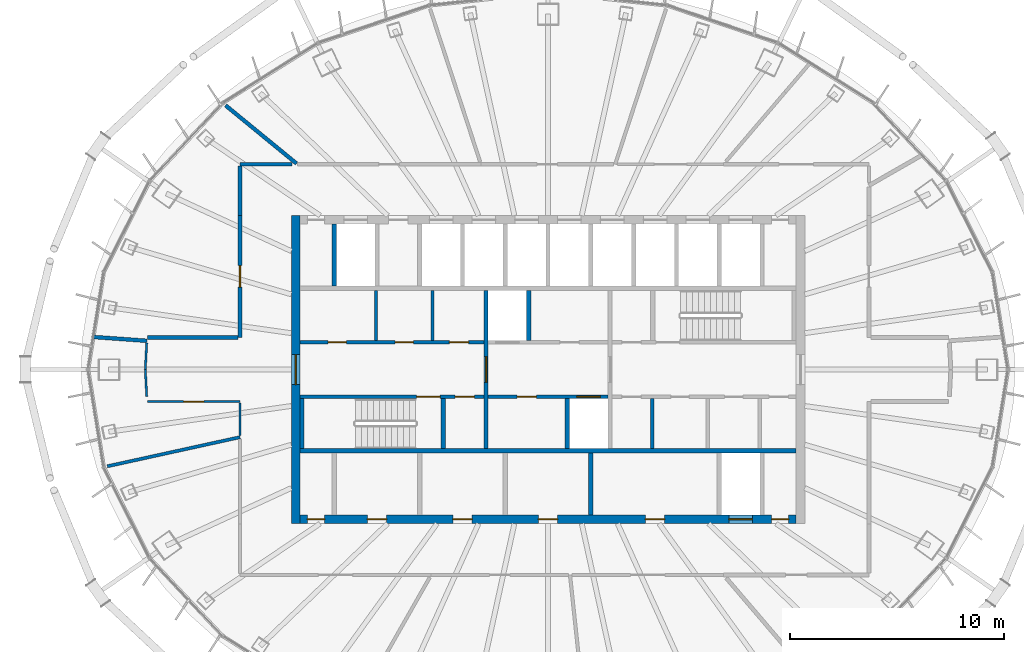
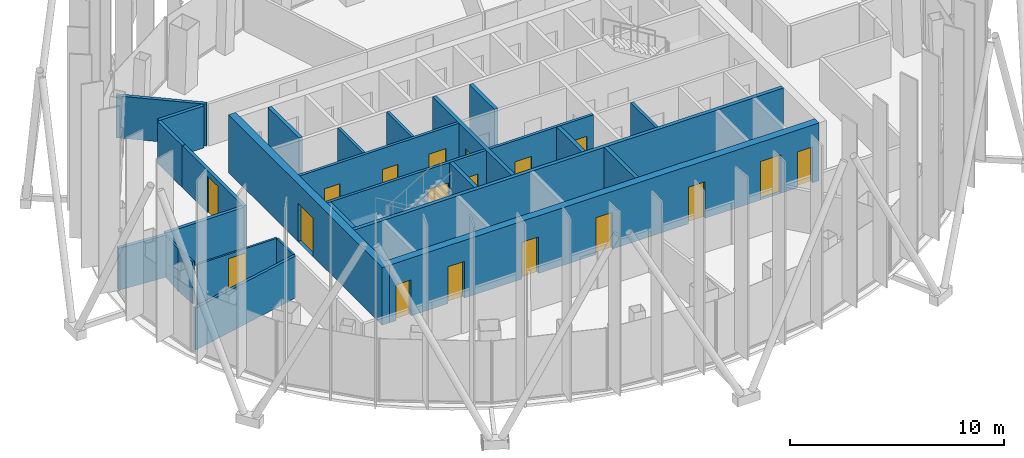
# One storey, part 10 of 20: 27 walls, 18 doors, 18 openings.
"""IFC4 building model written with IfcOpenShell, lengths in metres."""

from ifc_helpers import new_model, si_unit, direction, frame, frame_2d, origin, place, context, subcontext, project, spatial, rectangle, extrude, material, layer, layer_set, type_object, element, fill, save


model = new_model("IFC4")

# Units and contexts
model_context = context("Model", 3, precision=1e-05, world=origin(), true_north=direction((0.0, 1.0)))
body_context = subcontext(model_context, "Body", "Model", "MODEL_VIEW")
ifc_project = project(units=[si_unit("LENGTHUNIT", "METRE"), si_unit("AREAUNIT", "SQUARE_METRE"), si_unit("VOLUMEUNIT", "CUBIC_METRE"), si_unit("PLANEANGLEUNIT", "RADIAN"), si_unit("MASSUNIT", "GRAM", prefix="KILO")], contexts=[model_context])

# Site, building, storey
site_placement = place(None, origin())
site = spatial("IfcSite", under=ifc_project, at=site_placement, CompositionType="ELEMENT")
building_placement = place(site_placement, origin())
building = spatial("IfcBuilding", under=site, at=building_placement, Name="Siaravel Broadcast Tower", CompositionType="ELEMENT")
storey_placement = place(building_placement, frame((0.0, 0.0, 228.199951171875)))
storey = spatial("IfcBuildingStorey", under=building, at=storey_placement, Name="L55", CompositionType="ELEMENT", Elevation=228.199951171875)

# Walls
ifc_material_1 = material(Name="Concrete blockwork", Category="masonry")
ifc_layer_1 = layer(ifc_material_1, 0.14990234375)
ifc_layer_set_1 = layer_set([ifc_layer_1], Name="Concrete blockwork")
wall_type_1 = type_object("IfcWallType", Name="Core partition 150", PredefinedType="PARTITIONING", material=ifc_layer_set_1)
for number, where, z_axis, x_axis, name in (
    (1, (-8.0390625, 1.35009765625, 0.0), (0.0, 0.0, 1.0), (0.0, 1.0, 0.0), "L55 core partition PNW0"),
    (2, (-5.39892578125, 1.35009765625, 0.0), (0.0, 0.0, 1.0), (0.0, 1.0, 0.0), "L55 core partition PNW1"),
    (3, (4.867919921875, -3.699951171875, 0.0), (0.0, 0.0, 1.0), (0.0, 1.0, 0.0), "L55 core partition PSE0"),
):
    element("IfcWall", number, at=place(storey_placement, frame(where, z_axis=z_axis, x_axis=x_axis)), inside=storey, type_object=wall_type_1, Name=name, PredefinedType="PARTITIONING", context=body_context, shape_type="SweptSolid", body=[
        extrude(rectangle(XDim=2.349853515625, YDim=0.14990234375, at=frame_2d((1.1748046875, 0.0))), origin(), (0.0, 0.0, 1.0), 3.300048828125),
    ])
ifc_layer_2 = layer(ifc_material_1, 0.199951171875)
ifc_layer_set_2 = layer_set([ifc_layer_2], Name="Concrete blockwork")
wall_type_2 = type_object("IfcWallType", Name="Core partition 200", PredefinedType="PARTITIONING", material=ifc_layer_set_2)
wall_1_placement = place(storey_placement, frame((2.0, -6.800048828125, 0.0), z_axis=(0.0, 0.0, 1.0), x_axis=(0.0, 1.0, 0.0)))
element("IfcWall", 4, at=wall_1_placement, inside=storey, type_object=wall_type_2, Name="L55 core partition PFS4", PredefinedType="PARTITIONING", context=body_context, shape_type="SweptSolid", body=[
    extrude(rectangle(XDim=2.900146484375, YDim=0.199951171875, at=frame_2d((1.4501953125, 0.0))), origin(), (0.0, 0.0, 1.0), 3.300048828125),
])

# Wall, opening, door
ifc_material_2 = material(Name="Concrete C60/75", Category="concrete")
ifc_layer_3 = layer(ifc_material_2, 0.39990234375)
ifc_layer_set_3 = layer_set([ifc_layer_3], Name="Concrete C60/75")
wall_type_3 = type_object("IfcWallType", Name="Core wall 400", PredefinedType="SHEAR", material=ifc_layer_set_3)
wall_2_placement = place(storey_placement, frame((-11.800048828125, -7.199951171875, 0.0), z_axis=(0.0, 0.0, 1.0), x_axis=(0.0, 1.0, 0.0)))
wall_2 = element("IfcWall", 5, at=wall_2_placement, inside=storey, type_object=wall_type_3, Name="L55 core wall OW", PredefinedType="SHEAR", context=body_context, shape_type="SweptSolid", body=[
    extrude(rectangle(XDim=14.39990234375, YDim=0.39990234375, at=frame_2d((7.199951171875, 0.0))), origin(), (0.0, 0.0, 1.0), 3.300048828125),
])
opening_1_placement = place(wall_2_placement, frame((6.5, 0.0, 0.0)))
opening_1 = element("IfcOpeningElement", 6, at=opening_1_placement, cuts=wall_2, Name="Opening L55-DX-W", PredefinedType="OPENING", context=body_context, shape_type="SweptSolid", body=[
    extrude(rectangle(XDim=1.39990234375, YDim=2.199951171875, at=frame_2d((0.699951171875, 1.10009765625))), frame((0.0, 0.2099609375, 0.0), z_axis=(0.0, -1.0, 0.0), x_axis=(1.0, 0.0, 0.0)), (0.0, 0.0, 1.0), 0.419921875),
])
ifc_material_3 = material(Name="Steel", Category="steel")
door_type_1 = type_object("IfcDoorType", Name="Core exit door 1400", OperationType="DOUBLE_DOOR_SINGLE_SWING", PredefinedType="DOOR", material=ifc_material_3)
door_1_placement = place(opening_1_placement, origin())
door_1 = element("IfcDoor", 7, at=door_1_placement, inside=storey, type_object=door_type_1, Name="L55 door DX-W", OperationType="DOUBLE_DOOR_SINGLE_SWING", OverallHeight=2.199951171875, OverallWidth=1.39990234375, PredefinedType="DOOR", context=body_context, shape_type="SweptSolid", body=[
    extrude(rectangle(XDim=1.39990234375, YDim=2.199951171875, at=frame_2d((0.699951171875, 1.10009765625))), frame((0.0, 0.02490234375, 0.0), z_axis=(0.0, -1.0, 0.0), x_axis=(1.0, 0.0, 0.0)), (0.0, 0.0, 1.0), 0.050048828125),
])
fill(opening_1, door_1)

# Wall, openings, doors
wall_3_placement = place(storey_placement, frame((-11.60009765625, -7.0, 0.0), z_axis=(0.0, 0.0, 1.0), x_axis=(1.0, 0.0, 0.0)))
wall_3 = element("IfcWall", 8, at=wall_3_placement, inside=storey, type_object=wall_type_3, Name="L55 core wall OS", PredefinedType="SHEAR", context=body_context, shape_type="SweptSolid", body=[
    extrude(rectangle(XDim=23.2001953125, YDim=0.39990234375, at=frame_2d((11.60009765625, 0.0))), origin(), (0.0, 0.0, 1.0), 3.300048828125),
])
opening_2_placement = place(wall_3_placement, frame((20.050048828125, 0.0, 0.0)))
opening_2 = element("IfcOpeningElement", 9, at=opening_2_placement, cuts=wall_3, Name="Opening LD-SV1-L55", PredefinedType="OPENING", context=body_context, shape_type="SweptSolid", body=[
    extrude(rectangle(XDim=1.10009765625, YDim=2.199951171875, at=frame_2d((0.550048828125, 1.10009765625))), frame((0.0, 0.2099609375, 0.0), z_axis=(0.0, -1.0, 0.0), x_axis=(1.0, 0.0, 0.0)), (0.0, 0.0, 1.0), 0.419921875),
])
opening_3_placement = place(wall_3_placement, frame((3.14990234375, 0.0, 0.0)))
opening_3 = element("IfcOpeningElement", 10, at=opening_3_placement, cuts=wall_3, Name="Opening L55-DFS0", PredefinedType="OPENING", context=body_context, shape_type="SweptSolid", body=[
    extrude(rectangle(XDim=0.89990234375, YDim=2.10009765625, at=frame_2d((0.449951171875, 1.050048828125))), frame((0.0, 0.2099609375, 0.0), z_axis=(0.0, -1.0, 0.0), x_axis=(1.0, 0.0, 0.0)), (0.0, 0.0, 1.0), 0.419921875),
])
opening_4_placement = place(wall_3_placement, frame((7.14990234375, 0.0, 0.0)))
opening_4 = element("IfcOpeningElement", 11, at=opening_4_placement, cuts=wall_3, Name="Opening L55-DFS2", PredefinedType="OPENING", context=body_context, shape_type="SweptSolid", body=[
    extrude(rectangle(XDim=0.89990234375, YDim=2.10009765625, at=frame_2d((0.449951171875, 1.050048828125))), frame((0.0, 0.2099609375, 0.0), z_axis=(0.0, -1.0, 0.0), x_axis=(1.0, 0.0, 0.0)), (0.0, 0.0, 1.0), 0.419921875),
])
opening_5_placement = place(wall_3_placement, frame((11.14990234375, 0.0, 0.0)))
opening_5 = element("IfcOpeningElement", 12, at=opening_5_placement, cuts=wall_3, Name="Opening L55-DFS4", PredefinedType="OPENING", context=body_context, shape_type="SweptSolid", body=[
    extrude(rectangle(XDim=0.89990234375, YDim=2.10009765625, at=frame_2d((0.449951171875, 1.050048828125))), frame((0.0, 0.2099609375, 0.0), z_axis=(0.0, -1.0, 0.0), x_axis=(1.0, 0.0, 0.0)), (0.0, 0.0, 1.0), 0.419921875),
])
opening_6_placement = place(wall_3_placement, frame((16.14990234375, 0.0, 0.0)))
opening_6 = element("IfcOpeningElement", 13, at=opening_6_placement, cuts=wall_3, Name="Opening L55-DFS6", PredefinedType="OPENING", context=body_context, shape_type="SweptSolid", body=[
    extrude(rectangle(XDim=0.89990234375, YDim=2.10009765625, at=frame_2d((0.449951171875, 1.050048828125))), frame((0.0, 0.2099609375, 0.0), z_axis=(0.0, -1.0, 0.0), x_axis=(1.0, 0.0, 0.0)), (0.0, 0.0, 1.0), 0.419921875),
])
opening_7_placement = place(wall_3_placement, frame((0.35009765625, 0.0, 0.0)))
opening_7 = element("IfcOpeningElement", 14, at=opening_7_placement, cuts=wall_3, Name="Opening L55-DRSW", PredefinedType="OPENING", context=body_context, shape_type="SweptSolid", body=[
    extrude(rectangle(XDim=0.800048828125, YDim=2.050048828125, at=frame_2d((0.39990234375, 1.02490234375))), frame((0.0, 0.2099609375, 0.0), z_axis=(0.0, -1.0, 0.0), x_axis=(1.0, 0.0, 0.0)), (0.0, 0.0, 1.0), 0.419921875),
])
opening_8_placement = place(wall_3_placement, frame((22.050048828125, 0.0, 0.0)))
opening_8 = element("IfcOpeningElement", 15, at=opening_8_placement, cuts=wall_3, Name="Opening L55-DRSE", PredefinedType="OPENING", context=body_context, shape_type="SweptSolid", body=[
    extrude(rectangle(XDim=0.800048828125, YDim=2.050048828125, at=frame_2d((0.39990234375, 1.02490234375))), frame((0.0, 0.2099609375, 0.0), z_axis=(0.0, -1.0, 0.0), x_axis=(1.0, 0.0, 0.0)), (0.0, 0.0, 1.0), 0.419921875),
])
ifc_material_4 = material(Name="Timber veneer", Category="wood")
door_type_2 = type_object("IfcDoorType", Name="Core room door 900", OperationType="SINGLE_SWING_LEFT", PredefinedType="DOOR", material=ifc_material_4)
door_2_placement = place(opening_3_placement, origin())
door_2 = element("IfcDoor", 16, at=door_2_placement, inside=storey, type_object=door_type_2, Name="L55 door DFS0", OperationType="SINGLE_SWING_LEFT", OverallHeight=2.10009765625, OverallWidth=0.89990234375, PredefinedType="DOOR", context=body_context, shape_type="SweptSolid", body=[
    extrude(rectangle(XDim=0.89990234375, YDim=2.10009765625, at=frame_2d((0.449951171875, 1.050048828125))), frame((0.0, 0.02490234375, 0.0), z_axis=(0.0, -1.0, 0.0), x_axis=(1.0, 0.0, 0.0)), (0.0, 0.0, 1.0), 0.050048828125),
])
fill(opening_3, door_2)
door_3_placement = place(opening_4_placement, origin())
door_3 = element("IfcDoor", 17, at=door_3_placement, inside=storey, type_object=door_type_2, Name="L55 door DFS2", OperationType="SINGLE_SWING_LEFT", OverallHeight=2.10009765625, OverallWidth=0.89990234375, PredefinedType="DOOR", context=body_context, shape_type="SweptSolid", body=[
    extrude(rectangle(XDim=0.89990234375, YDim=2.10009765625, at=frame_2d((0.449951171875, 1.050048828125))), frame((0.0, 0.02490234375, 0.0), z_axis=(0.0, -1.0, 0.0), x_axis=(1.0, 0.0, 0.0)), (0.0, 0.0, 1.0), 0.050048828125),
])
fill(opening_4, door_3)
door_4_placement = place(opening_5_placement, origin())
door_4 = element("IfcDoor", 18, at=door_4_placement, inside=storey, type_object=door_type_2, Name="L55 door DFS4", OperationType="SINGLE_SWING_LEFT", OverallHeight=2.10009765625, OverallWidth=0.89990234375, PredefinedType="DOOR", context=body_context, shape_type="SweptSolid", body=[
    extrude(rectangle(XDim=0.89990234375, YDim=2.10009765625, at=frame_2d((0.449951171875, 1.050048828125))), frame((0.0, 0.02490234375, 0.0), z_axis=(0.0, -1.0, 0.0), x_axis=(1.0, 0.0, 0.0)), (0.0, 0.0, 1.0), 0.050048828125),
])
fill(opening_5, door_4)
door_5_placement = place(opening_6_placement, origin())
door_5 = element("IfcDoor", 19, at=door_5_placement, inside=storey, type_object=door_type_2, Name="L55 door DFS6", OperationType="SINGLE_SWING_LEFT", OverallHeight=2.10009765625, OverallWidth=0.89990234375, PredefinedType="DOOR", context=body_context, shape_type="SweptSolid", body=[
    extrude(rectangle(XDim=0.89990234375, YDim=2.10009765625, at=frame_2d((0.449951171875, 1.050048828125))), frame((0.0, 0.02490234375, 0.0), z_axis=(0.0, -1.0, 0.0), x_axis=(1.0, 0.0, 0.0)), (0.0, 0.0, 1.0), 0.050048828125),
])
fill(opening_6, door_5)
door_type_3 = type_object("IfcDoorType", Name="Riser door 800", OperationType="SINGLE_SWING_LEFT", PredefinedType="DOOR", material=ifc_material_3)
door_6_placement = place(opening_7_placement, origin())
door_6 = element("IfcDoor", 20, at=door_6_placement, inside=storey, type_object=door_type_3, Name="L55 door DRSW", OperationType="SINGLE_SWING_LEFT", OverallHeight=2.050048828125, OverallWidth=0.800048828125, PredefinedType="DOOR", context=body_context, shape_type="SweptSolid", body=[
    extrude(rectangle(XDim=0.800048828125, YDim=2.050048828125, at=frame_2d((0.39990234375, 1.02490234375))), frame((0.0, 0.02490234375, 0.0), z_axis=(0.0, -1.0, 0.0), x_axis=(1.0, 0.0, 0.0)), (0.0, 0.0, 1.0), 0.050048828125),
])
fill(opening_7, door_6)
door_7_placement = place(opening_8_placement, origin())
door_7 = element("IfcDoor", 21, at=door_7_placement, inside=storey, type_object=door_type_3, Name="L55 door DRSE", OperationType="SINGLE_SWING_LEFT", OverallHeight=2.050048828125, OverallWidth=0.800048828125, PredefinedType="DOOR", context=body_context, shape_type="SweptSolid", body=[
    extrude(rectangle(XDim=0.800048828125, YDim=2.050048828125, at=frame_2d((0.39990234375, 1.02490234375))), frame((0.0, 0.02490234375, 0.0), z_axis=(0.0, -1.0, 0.0), x_axis=(1.0, 0.0, 0.0)), (0.0, 0.0, 1.0), 0.050048828125),
])
fill(opening_8, door_7)
ifc_material_5 = material(Name="Stainless steel 316L", Category="steel")
door_type_4 = type_object("IfcDoorType", Name="Service lift landing door 1100", OperationType="DOUBLE_DOOR_SLIDING", PredefinedType="DOOR", material=ifc_material_5)
door_8_placement = place(opening_2_placement, origin())
door_8 = element("IfcDoor", 22, at=door_8_placement, inside=storey, type_object=door_type_4, Name="Landing door SV1 L55", OperationType="DOUBLE_DOOR_SLIDING", OverallHeight=2.199951171875, OverallWidth=1.10009765625, PredefinedType="DOOR", context=body_context, shape_type="SweptSolid", body=[
    extrude(rectangle(XDim=1.10009765625, YDim=2.199951171875, at=frame_2d((0.550048828125, 1.10009765625))), frame((0.0, 0.02490234375, 0.0), z_axis=(0.0, -1.0, 0.0), x_axis=(1.0, 0.0, 0.0)), (0.0, 0.0, 1.0), 0.050048828125),
])
fill(opening_2, door_8)

ifc_material_6 = material(Name="Gypsum board partition", Category="gypsum")
ifc_layer_4 = layer(ifc_material_6, 0.14990234375)
ifc_layer_set_4 = layer_set([ifc_layer_4], Name="Gypsum board partition")
wall_type_4 = type_object("IfcWallType", Name="Corridor wall 150", PredefinedType="PARTITIONING", material=ifc_layer_set_4)
wall_4_placement = place(storey_placement, frame((-11.60009765625, 1.27490234375, 0.0), z_axis=(0.0, 0.0, 1.0), x_axis=(1.0, 0.0, 0.0)))
wall_4 = element("IfcWall", 23, at=wall_4_placement, inside=storey, type_object=wall_type_4, Name="L55 core partition CNW", PredefinedType="PARTITIONING", context=body_context, shape_type="SweptSolid", body=[
    extrude(rectangle(XDim=8.60009765625, YDim=0.14990234375, at=frame_2d((4.300048828125, 0.0))), origin(), (0.0, 0.0, 1.0), 3.300048828125),
])
opening_9_placement = place(wall_4_placement, frame((1.318115234375, 0.0, 0.0)))
opening_9 = element("IfcOpeningElement", 24, at=opening_9_placement, cuts=wall_4, Name="Opening L55-DNW0", PredefinedType="OPENING", context=body_context, shape_type="SweptSolid", body=[
    extrude(rectangle(XDim=0.85009765625, YDim=2.10009765625, at=frame_2d((0.425048828125, 1.050048828125))), frame((0.0, 0.0849609375, 0.0), z_axis=(0.0, -1.0, 0.0), x_axis=(1.0, 0.0, 0.0)), (0.0, 0.0, 1.0), 0.169921875),
])
opening_10_placement = place(wall_4_placement, frame((4.4560546875, 0.0, 0.0)))
opening_10 = element("IfcOpeningElement", 25, at=opening_10_placement, cuts=wall_4, Name="Opening L55-DNW1", PredefinedType="OPENING", context=body_context, shape_type="SweptSolid", body=[
    extrude(rectangle(XDim=0.85009765625, YDim=2.10009765625, at=frame_2d((0.425048828125, 1.050048828125))), frame((0.0, 0.0849609375, 0.0), z_axis=(0.0, -1.0, 0.0), x_axis=(1.0, 0.0, 0.0)), (0.0, 0.0, 1.0), 0.169921875),
])
opening_11_placement = place(wall_4_placement, frame((6.988037109375, 0.0, 0.0)))
opening_11 = element("IfcOpeningElement", 26, at=opening_11_placement, cuts=wall_4, Name="Opening L55-DNW2", PredefinedType="OPENING", context=body_context, shape_type="SweptSolid", body=[
    extrude(rectangle(XDim=0.89990234375, YDim=2.10009765625, at=frame_2d((0.449951171875, 1.050048828125))), frame((0.0, 0.0849609375, 0.0), z_axis=(0.0, -1.0, 0.0), x_axis=(1.0, 0.0, 0.0)), (0.0, 0.0, 1.0), 0.169921875),
])
door_9_placement = place(opening_11_placement, origin())
door_9 = element("IfcDoor", 27, at=door_9_placement, inside=storey, type_object=door_type_2, Name="L55 door DNW2", OperationType="SINGLE_SWING_LEFT", OverallHeight=2.10009765625, OverallWidth=0.89990234375, PredefinedType="DOOR", context=body_context, shape_type="SweptSolid", body=[
    extrude(rectangle(XDim=0.89990234375, YDim=2.10009765625, at=frame_2d((0.449951171875, 1.050048828125))), frame((0.0, 0.02490234375, 0.0), z_axis=(0.0, -1.0, 0.0), x_axis=(1.0, 0.0, 0.0)), (0.0, 0.0, 1.0), 0.050048828125),
])
fill(opening_11, door_9)
door_type_5 = type_object("IfcDoorType", Name="Core toilet door 850", OperationType="SINGLE_SWING_LEFT", PredefinedType="DOOR", material=ifc_material_4)
door_10_placement = place(opening_9_placement, origin())
door_10 = element("IfcDoor", 28, at=door_10_placement, inside=storey, type_object=door_type_5, Name="L55 door DNW0", OperationType="SINGLE_SWING_LEFT", OverallHeight=2.10009765625, OverallWidth=0.85009765625, PredefinedType="DOOR", context=body_context, shape_type="SweptSolid", body=[
    extrude(rectangle(XDim=0.85009765625, YDim=2.10009765625, at=frame_2d((0.425048828125, 1.050048828125))), frame((0.0, 0.02490234375, 0.0), z_axis=(0.0, -1.0, 0.0), x_axis=(1.0, 0.0, 0.0)), (0.0, 0.0, 1.0), 0.050048828125),
])
fill(opening_9, door_10)
door_11_placement = place(opening_10_placement, origin())
door_11 = element("IfcDoor", 29, at=door_11_placement, inside=storey, type_object=door_type_5, Name="L55 door DNW1", OperationType="SINGLE_SWING_LEFT", OverallHeight=2.10009765625, OverallWidth=0.85009765625, PredefinedType="DOOR", context=body_context, shape_type="SweptSolid", body=[
    extrude(rectangle(XDim=0.85009765625, YDim=2.10009765625, at=frame_2d((0.425048828125, 1.050048828125))), frame((0.0, 0.02490234375, 0.0), z_axis=(0.0, -1.0, 0.0), x_axis=(1.0, 0.0, 0.0)), (0.0, 0.0, 1.0), 0.050048828125),
])
fill(opening_10, door_11)

# Wall, opening, door
ifc_material_7 = material(Name="Glazed aluminium partition", Category="aluminium")
ifc_layer_5 = layer(ifc_material_7, 0.10009765625)
ifc_layer_set_5 = layer_set([ifc_layer_5], Name="Glazed aluminium partition")
wall_type_5 = type_object("IfcWallType", Name="Glazed meeting room partition 100", PredefinedType="PARTITIONING", material=ifc_layer_set_5)
wall_5_placement = place(storey_placement, frame((-18.721923828125, -1.5, 0.0), z_axis=(0.0, 0.0, 1.0), x_axis=(1.0, 0.0, 0.0)))
wall_5 = element("IfcWall", 30, at=wall_5_placement, inside=storey, type_object=wall_type_5, Name="L55 partition 20", PredefinedType="PARTITIONING", context=body_context, shape_type="SweptSolid", body=[
    extrude(rectangle(XDim=4.322021484375, YDim=0.10009765625, at=frame_2d((2.1611328125, 0.0))), origin(), (0.0, 0.0, 1.0), 2.400146484375),
])
opening_12_placement = place(wall_5_placement, frame((1.68603515625, 0.0, 0.0)))
opening_12 = element("IfcOpeningElement", 31, at=opening_12_placement, cuts=wall_5, Name="Opening L55-011", PredefinedType="OPENING", context=body_context, shape_type="SweptSolid", body=[
    extrude(rectangle(XDim=0.949951171875, YDim=2.14990234375, at=frame_2d((0.47509765625, 1.074951171875))), frame((0.0, 0.06005859375, 0.0), z_axis=(0.0, -1.0, 0.0), x_axis=(1.0, 0.0, 0.0)), (0.0, 0.0, 1.0), 0.1201171875),
])
door_type_6 = type_object("IfcDoorType", Name="Office door 950", OperationType="SINGLE_SWING_LEFT", PredefinedType="DOOR", material=ifc_material_4)
door_12_placement = place(opening_12_placement, origin())
door_12 = element("IfcDoor", 32, at=door_12_placement, inside=storey, type_object=door_type_6, Name="L55 door to Private dining room", OperationType="SINGLE_SWING_LEFT", OverallHeight=2.14990234375, OverallWidth=0.949951171875, PredefinedType="DOOR", context=body_context, shape_type="SweptSolid", body=[
    extrude(rectangle(XDim=0.949951171875, YDim=2.14990234375, at=frame_2d((0.47509765625, 1.074951171875))), frame((0.0, 0.02490234375, 0.0), z_axis=(0.0, -1.0, 0.0), x_axis=(1.0, 0.0, 0.0)), (0.0, 0.0, 1.0), 0.050048828125),
])
fill(opening_12, door_12)

# Walls
wall_6_placement = place(storey_placement, frame((-14.39990234375, -1.552001953125, 0.0), z_axis=(0.0, 0.0, 1.0), x_axis=(0.0, -1.0, 0.0)))
element("IfcWall", 33, at=wall_6_placement, inside=storey, type_object=wall_type_5, Name="L55 partition 33", PredefinedType="PARTITIONING", context=body_context, shape_type="SweptSolid", body=[
    extrude(rectangle(XDim=1.533203125, YDim=0.10009765625, at=frame_2d((0.7666015625, 0.0))), origin(), (0.0, 0.0, 1.0), 2.400146484375),
])
wall_7_placement = place(storey_placement, frame((-18.76171875, 1.252197265625, 0.0), z_axis=(0.0, 0.0, 1.0), x_axis=(-0.053151512, -0.998586459, 0.0)))
element("IfcWall", 34, at=wall_7_placement, inside=storey, type_object=wall_type_5, Name="L55 partition 35", PredefinedType="PARTITIONING", context=body_context, shape_type="SweptSolid", body=[
    extrude(rectangle(XDim=1.25390625, YDim=0.10009765625, at=frame_2d((0.626953125, 0.0))), origin(), (0.0, 0.0, 1.0), 2.400146484375),
])
wall_8_placement = place(storey_placement, frame((-18.828369140625, 0.0, 0.0), z_axis=(0.0, 0.0, 1.0), x_axis=(0.053110209, -0.998588657, 0.0)))
element("IfcWall", 35, at=wall_8_placement, inside=storey, type_object=wall_type_5, Name="L55 partition 37", PredefinedType="PARTITIONING", context=body_context, shape_type="SweptSolid", body=[
    extrude(rectangle(XDim=1.2548828125, YDim=0.10009765625, at=frame_2d((0.62744140625, 0.0))), origin(), (0.0, 0.0, 1.0), 2.400146484375),
])
ifc_layer_6 = layer(ifc_material_6, 0.14990234375)
ifc_layer_set_6 = layer_set([ifc_layer_6], Name="Gypsum board partition")
wall_type_6 = type_object("IfcWallType", Name="Room partition 150", PredefinedType="PARTITIONING", material=ifc_layer_set_6)
wall_9_placement = place(storey_placement, frame((-14.39990234375, -3.16064453125, 0.0), z_axis=(0.0, 0.0, 1.0), x_axis=(-0.976754355, -0.214361681, 0.0)))
element("IfcWall", 36, at=wall_9_placement, inside=storey, type_object=wall_type_6, Name="L55 partition 11", PredefinedType="PARTITIONING", context=body_context, shape_type="SweptSolid", body=[
    extrude(rectangle(XDim=6.351806640625, YDim=0.14990234375, at=frame_2d((3.17578125, 0.0))), origin(), (0.0, 0.0, 1.0), 2.400146484375),
])

# Wall, opening, door
ifc_layer_7 = layer(ifc_material_1, 0.179931640625)
ifc_layer_set_7 = layer_set([ifc_layer_7], Name="Concrete blockwork")
wall_type_7 = type_object("IfcWallType", Name="Service room fire partition 180", PredefinedType="PARTITIONING", material=ifc_layer_set_7)
wall_10_placement = place(storey_placement, frame((-14.39990234375, 7.2119140625, 0.0), z_axis=(0.0, 0.0, 1.0), x_axis=(0.0, -1.0, 0.0)))
wall_10 = element("IfcWall", 37, at=wall_10_placement, inside=storey, type_object=wall_type_7, Name="L55 partition 14", PredefinedType="PARTITIONING", context=body_context, shape_type="SweptSolid", body=[
    extrude(rectangle(XDim=5.7119140625, YDim=0.179931640625, at=frame_2d((2.85595703125, 0.0))), origin(), (0.0, 0.0, 1.0), 2.400146484375),
])
opening_13_placement = place(wall_10_placement, frame((2.35595703125, 0.0, 0.0)))
opening_13 = element("IfcOpeningElement", 38, at=opening_13_placement, cuts=wall_10, Name="Opening L55-010", PredefinedType="OPENING", context=body_context, shape_type="SweptSolid", body=[
    extrude(rectangle(XDim=1.0, YDim=2.10009765625, at=frame_2d((0.5, 1.050048828125))), frame((0.0, 0.099853515625, 0.0), z_axis=(0.0, -1.0, 0.0), x_axis=(1.0, 0.0, 0.0)), (0.0, 0.0, 1.0), 0.199951171875),
])
door_type_7 = type_object("IfcDoorType", Name="Service room door 1000", OperationType="SINGLE_SWING_LEFT", PredefinedType="DOOR", material=ifc_material_3)
door_13_placement = place(opening_13_placement, origin())
door_13 = element("IfcDoor", 39, at=door_13_placement, inside=storey, type_object=door_type_7, Name="L55 door to Library", OperationType="SINGLE_SWING_RIGHT", OverallHeight=2.10009765625, OverallWidth=1.0, PredefinedType="DOOR", context=body_context, shape_type="SweptSolid", body=[
    extrude(rectangle(XDim=1.0, YDim=2.10009765625, at=frame_2d((0.5, 1.050048828125))), frame((0.0, 0.02490234375, 0.0), z_axis=(0.0, -1.0, 0.0), x_axis=(1.0, 0.0, 0.0)), (0.0, 0.0, 1.0), 0.050048828125),
])
fill(opening_13, door_13)

# Walls
wall_11_placement = place(storey_placement, frame((-15.074951171875, 12.34814453125, 0.0), z_axis=(0.0, 0.0, 1.0), x_axis=(0.773594361, -0.633681122, 0.0)))
element("IfcWall", 40, at=wall_11_placement, inside=storey, type_object=wall_type_7, Name="L55 partition 19", PredefinedType="PARTITIONING", context=body_context, shape_type="SweptSolid", body=[
    extrude(rectangle(XDim=4.287353515625, YDim=0.179931640625, at=frame_2d((2.1435546875, 0.0))), origin(), (0.0, 0.0, 1.0), 2.400146484375),
])
wall_12_placement = place(storey_placement, frame((-14.491943359375, 1.5, 0.0), z_axis=(0.0, 0.0, 1.0), x_axis=(-1.0, 0.0, 0.0)))
element("IfcWall", 41, at=wall_12_placement, inside=storey, type_object=wall_type_7, Name="L55 partition 21", PredefinedType="PARTITIONING", context=body_context, shape_type="SweptSolid", body=[
    extrude(rectangle(XDim=4.22998046875, YDim=0.179931640625, at=frame_2d((2.114990234375, 0.0))), origin(), (0.0, 0.0, 1.0), 2.400146484375),
])
wall_13_placement = place(storey_placement, frame((-11.973876953125, 9.60009765625, 0.0), z_axis=(0.0, 0.0, 1.0), x_axis=(-1.0, 0.0, 0.0)))
element("IfcWall", 42, at=wall_13_placement, inside=storey, type_object=wall_type_7, Name="L55 partition 26", PredefinedType="PARTITIONING", context=body_context, shape_type="SweptSolid", body=[
    extrude(rectangle(XDim=2.426025390625, YDim=0.179931640625, at=frame_2d((1.212890625, 0.0))), origin(), (0.0, 0.0, 1.0), 2.400146484375),
])
wall_14_placement = place(storey_placement, frame((-21.250732421875, 1.52294921875, 0.0), z_axis=(0.0, 0.0, 1.0), x_axis=(0.997442317, -0.071476043, 0.0)))
element("IfcWall", 43, at=wall_14_placement, inside=storey, type_object=wall_type_7, Name="L55 partition 28", PredefinedType="PARTITIONING", context=body_context, shape_type="SweptSolid", body=[
    extrude(rectangle(XDim=2.500244140625, YDim=0.179931640625, at=frame_2d((1.25, 0.0))), origin(), (0.0, 0.0, 1.0), 2.400146484375),
])
wall_15_placement = place(storey_placement, frame((-14.39990234375, 9.508056640625, 0.0), z_axis=(0.0, 0.0, 1.0), x_axis=(0.0, -1.0, 0.0)))
element("IfcWall", 44, at=wall_15_placement, inside=storey, type_object=wall_type_7, Name="L55 partition 30", PredefinedType="PARTITIONING", context=body_context, shape_type="SweptSolid", body=[
    extrude(rectangle(XDim=2.295166015625, YDim=0.179931640625, at=frame_2d((1.1474609375, 0.0))), origin(), (0.0, 0.0, 1.0), 2.400146484375),
])

# Wall, openings, doors
ifc_layer_8 = layer(ifc_material_2, 0.14990234375)
ifc_layer_set_8 = layer_set([ifc_layer_8], Name="Concrete C60/75")
wall_type_8 = type_object("IfcWallType", Name="Shaft wall 150", PredefinedType="SHEAR", material=ifc_layer_set_8)
wall_16_placement = place(storey_placement, frame((-11.60009765625, -1.27490234375, 0.0), z_axis=(0.0, 0.0, 1.0), x_axis=(1.0, 0.0, 0.0)))
wall_16 = element("IfcWall", 45, at=wall_16_placement, inside=storey, type_object=wall_type_8, Name="L55 core wall CSW", PredefinedType="SHEAR", context=body_context, shape_type="SweptSolid", body=[
    extrude(rectangle(XDim=8.60009765625, YDim=0.14990234375, at=frame_2d((4.300048828125, 0.0))), origin(), (0.0, 0.0, 1.0), 3.300048828125),
])
opening_14_placement = place(wall_16_placement, frame((5.449951171875, 0.0, 0.0)))
opening_14 = element("IfcOpeningElement", 46, at=opening_14_placement, cuts=wall_16, Name="Opening L55-DS-1", PredefinedType="OPENING", context=body_context, shape_type="SweptSolid", body=[
    extrude(rectangle(XDim=1.10009765625, YDim=2.14990234375, at=frame_2d((0.550048828125, 1.074951171875))), frame((0.0, 0.0849609375, 0.0), z_axis=(0.0, -1.0, 0.0), x_axis=(1.0, 0.0, 0.0)), (0.0, 0.0, 1.0), 0.169921875),
])
opening_15_placement = place(wall_16_placement, frame((7.25, 0.0, 0.0)))
opening_15 = element("IfcOpeningElement", 47, at=opening_15_placement, cuts=wall_16, Name="Opening L55-DSW0", PredefinedType="OPENING", context=body_context, shape_type="SweptSolid", body=[
    extrude(rectangle(XDim=0.89990234375, YDim=2.10009765625, at=frame_2d((0.449951171875, 1.050048828125))), frame((0.0, 0.0849609375, 0.0), z_axis=(0.0, -1.0, 0.0), x_axis=(1.0, 0.0, 0.0)), (0.0, 0.0, 1.0), 0.169921875),
])
door_14_placement = place(opening_15_placement, origin())
door_14 = element("IfcDoor", 48, at=door_14_placement, inside=storey, type_object=door_type_2, Name="L55 door DSW0", OperationType="SINGLE_SWING_LEFT", OverallHeight=2.10009765625, OverallWidth=0.89990234375, PredefinedType="DOOR", context=body_context, shape_type="SweptSolid", body=[
    extrude(rectangle(XDim=0.89990234375, YDim=2.10009765625, at=frame_2d((0.449951171875, 1.050048828125))), frame((0.0, 0.02490234375, 0.0), z_axis=(0.0, -1.0, 0.0), x_axis=(1.0, 0.0, 0.0)), (0.0, 0.0, 1.0), 0.050048828125),
])
fill(opening_15, door_14)
door_type_8 = type_object("IfcDoorType", Name="Stair door 1100", OperationType="SINGLE_SWING_LEFT", PredefinedType="DOOR", material=ifc_material_3)
door_15_placement = place(opening_14_placement, origin())
door_15 = element("IfcDoor", 49, at=door_15_placement, inside=storey, type_object=door_type_8, Name="L55 door DS-1", OperationType="SINGLE_SWING_LEFT", OverallHeight=2.14990234375, OverallWidth=1.10009765625, PredefinedType="DOOR", context=body_context, shape_type="SweptSolid", body=[
    extrude(rectangle(XDim=1.10009765625, YDim=2.14990234375, at=frame_2d((0.550048828125, 1.074951171875))), frame((0.0, 0.02490234375, 0.0), z_axis=(0.0, -1.0, 0.0), x_axis=(1.0, 0.0, 0.0)), (0.0, 0.0, 1.0), 0.050048828125),
])
fill(opening_14, door_15)

wall_17_placement = place(storey_placement, frame((-2.800048828125, -1.27490234375, 0.0), z_axis=(0.0, 0.0, 1.0), x_axis=(1.0, 0.0, 0.0)))
wall_17 = element("IfcWall", 50, at=wall_17_placement, inside=storey, type_object=wall_type_8, Name="L55 core wall CSM", PredefinedType="SHEAR", context=body_context, shape_type="SweptSolid", body=[
    extrude(rectangle(XDim=5.60009765625, YDim=0.14990234375, at=frame_2d((2.800048828125, 0.0))), origin(), (0.0, 0.0, 1.0), 3.300048828125),
])
opening_16_placement = place(wall_17_placement, frame((4.14990234375, 0.0, 0.0)))
opening_16 = element("IfcOpeningElement", 51, at=opening_16_placement, cuts=wall_17, Name="Opening LD-FL2-L55", PredefinedType="OPENING", context=body_context, shape_type="SweptSolid", body=[
    extrude(rectangle(XDim=1.10009765625, YDim=2.199951171875, at=frame_2d((0.550048828125, 1.10009765625))), frame((0.0, 0.0849609375, 0.0), z_axis=(0.0, -1.0, 0.0), x_axis=(1.0, 0.0, 0.0)), (0.0, 0.0, 1.0), 0.169921875),
])
opening_17_placement = place(wall_17_placement, frame((1.35009765625, 0.0, 0.0)))
opening_17 = element("IfcOpeningElement", 52, at=opening_17_placement, cuts=wall_17, Name="Opening L55-DSM0", PredefinedType="OPENING", context=body_context, shape_type="SweptSolid", body=[
    extrude(rectangle(XDim=0.89990234375, YDim=2.10009765625, at=frame_2d((0.449951171875, 1.050048828125))), frame((0.0, 0.0849609375, 0.0), z_axis=(0.0, -1.0, 0.0), x_axis=(1.0, 0.0, 0.0)), (0.0, 0.0, 1.0), 0.169921875),
])
door_16_placement = place(opening_17_placement, origin())
door_16 = element("IfcDoor", 53, at=door_16_placement, inside=storey, type_object=door_type_2, Name="L55 door DSM0", OperationType="SINGLE_SWING_LEFT", OverallHeight=2.10009765625, OverallWidth=0.89990234375, PredefinedType="DOOR", context=body_context, shape_type="SweptSolid", body=[
    extrude(rectangle(XDim=0.89990234375, YDim=2.10009765625, at=frame_2d((0.449951171875, 1.050048828125))), frame((0.0, 0.02490234375, 0.0), z_axis=(0.0, -1.0, 0.0), x_axis=(1.0, 0.0, 0.0)), (0.0, 0.0, 1.0), 0.050048828125),
])
fill(opening_17, door_16)
door_type_9 = type_object("IfcDoorType", Name="Firefighting lift landing door 1100", OperationType="DOUBLE_DOOR_SLIDING", PredefinedType="DOOR", material=ifc_material_5)
door_17_placement = place(opening_16_placement, origin())
door_17 = element("IfcDoor", 54, at=door_17_placement, inside=storey, type_object=door_type_9, Name="Landing door FL2 L55", OperationType="DOUBLE_DOOR_SLIDING", OverallHeight=2.199951171875, OverallWidth=1.10009765625, PredefinedType="DOOR", context=body_context, shape_type="SweptSolid", body=[
    extrude(rectangle(XDim=1.10009765625, YDim=2.199951171875, at=frame_2d((0.550048828125, 1.10009765625))), frame((0.0, 0.02490234375, 0.0), z_axis=(0.0, -1.0, 0.0), x_axis=(1.0, 0.0, 0.0)), (0.0, 0.0, 1.0), 0.050048828125),
])
fill(opening_16, door_17)

# Walls
ifc_layer_9 = layer(ifc_material_2, 0.199951171875)
ifc_layer_set_9 = layer_set([ifc_layer_9], Name="Concrete C60/75")
wall_type_9 = type_object("IfcWallType", Name="Shaft wall 200", PredefinedType="SHEAR", material=ifc_layer_set_9)
wall_18_placement = place(storey_placement, frame((-11.60009765625, -3.800048828125, 0.0), z_axis=(0.0, 0.0, 1.0), x_axis=(1.0, 0.0, 0.0)))
element("IfcWall", 55, at=wall_18_placement, inside=storey, type_object=wall_type_9, Name="L55 core wall BS", PredefinedType="SHEAR", context=body_context, shape_type="SweptSolid", body=[
    extrude(rectangle(XDim=23.2001953125, YDim=0.199951171875, at=frame_2d((11.60009765625, 0.0))), origin(), (0.0, 0.0, 1.0), 3.300048828125),
])
wall_19_placement = place(storey_placement, frame((-10.0, 3.89990234375, 0.0), z_axis=(0.0, 0.0, 1.0), x_axis=(0.0, 1.0, 0.0)))
element("IfcWall", 56, at=wall_19_placement, inside=storey, type_object=wall_type_9, Name="L55 core wall SWN0", PredefinedType="SHEAR", context=body_context, shape_type="SweptSolid", body=[
    extrude(rectangle(XDim=2.900146484375, YDim=0.199951171875, at=frame_2d((1.4501953125, 0.0))), origin(), (0.0, 0.0, 1.0), 3.300048828125),
])

# Wall, opening, door
wall_20_placement = place(storey_placement, frame((-2.89990234375, -3.699951171875, 0.0), z_axis=(0.0, 0.0, 1.0), x_axis=(0.0, 1.0, 0.0)))
wall_20 = element("IfcWall", 57, at=wall_20_placement, inside=storey, type_object=wall_type_9, Name="L55 core wall LW", PredefinedType="SHEAR", context=body_context, shape_type="SweptSolid", body=[
    extrude(rectangle(XDim=7.39990234375, YDim=0.199951171875, at=frame_2d((3.699951171875, 0.0))), origin(), (0.0, 0.0, 1.0), 3.300048828125),
])
opening_18_placement = place(wall_20_placement, frame((3.10009765625, 0.0, 0.0)))
opening_18 = element("IfcOpeningElement", 58, at=opening_18_placement, cuts=wall_20, Name="Opening L55-DL-W", PredefinedType="OPENING", context=body_context, shape_type="SweptSolid", body=[
    extrude(rectangle(XDim=1.199951171875, YDim=2.199951171875, at=frame_2d((0.60009765625, 1.10009765625))), frame((0.0, 0.10986328125, 0.0), z_axis=(0.0, -1.0, 0.0), x_axis=(1.0, 0.0, 0.0)), (0.0, 0.0, 1.0), 0.219970703125),
])
door_type_10 = type_object("IfcDoorType", Name="Firefighting lobby door 1200", OperationType="SINGLE_SWING_LEFT", PredefinedType="DOOR", material=ifc_material_3)
door_18_placement = place(opening_18_placement, origin())
door_18 = element("IfcDoor", 59, at=door_18_placement, inside=storey, type_object=door_type_10, Name="L55 door DL-W", OperationType="SINGLE_SWING_LEFT", OverallHeight=2.199951171875, OverallWidth=1.199951171875, PredefinedType="DOOR", context=body_context, shape_type="SweptSolid", body=[
    extrude(rectangle(XDim=1.199951171875, YDim=2.199951171875, at=frame_2d((0.60009765625, 1.10009765625))), frame((0.0, 0.02490234375, 0.0), z_axis=(0.0, -1.0, 0.0), x_axis=(1.0, 0.0, 0.0)), (0.0, 0.0, 1.0), 0.050048828125),
])
fill(opening_18, door_18)

# Walls
for number, where, z_axis, x_axis, name in (
    (60, (-0.89990234375, 1.35009765625, 0.0), (0.0, 0.0, 1.0), (0.0, 1.0, 0.0), "L55 core wall FF1E"),
    (61, (0.89990234375, -3.699951171875, 0.0), (0.0, 0.0, 1.0), (0.0, 1.0, 0.0), "L55 core wall FF2W"),
    (62, (-11.5, -3.699951171875, 0.0), (0.0, 0.0, 1.0), (0.0, 1.0, 0.0), "L55 core wall ST1W"),
    (63, (-4.89990234375, -3.699951171875, 0.0), (0.0, 0.0, 1.0), (0.0, 1.0, 0.0), "L55 core wall ST1E"),
):
    element("IfcWall", number, at=place(storey_placement, frame(where, z_axis=z_axis, x_axis=x_axis)), inside=storey, type_object=wall_type_9, Name=name, PredefinedType="SHEAR", context=body_context, shape_type="SweptSolid", body=[
        extrude(rectangle(XDim=2.349853515625, YDim=0.199951171875, at=frame_2d((1.1748046875, 0.0))), origin(), (0.0, 0.0, 1.0), 3.300048828125),
    ])

save(model, "model.ifc")
